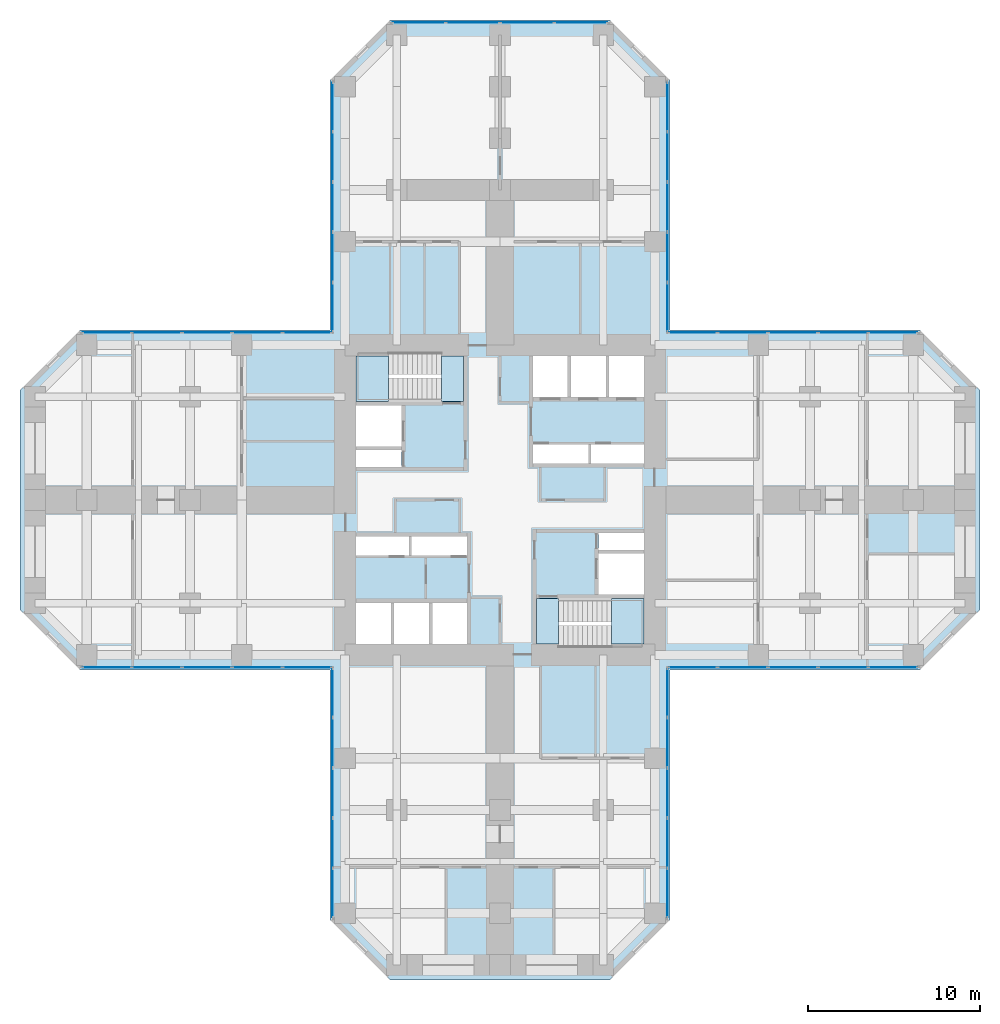
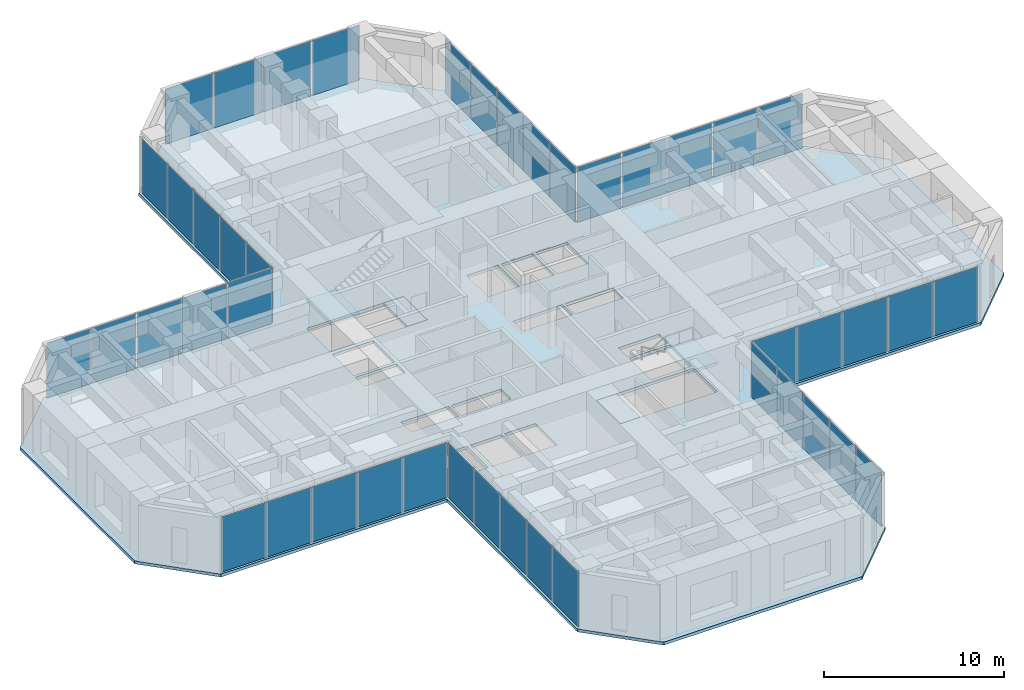
# One storey, part 7 of 13: 44 plates, 5 slabs, 11 elements without a shape of their own.
"""IFC4 building model written with IfcOpenShell, lengths in metres."""

import ifcopenshell
import ifcopenshell.guid

model = None  # the IFC model being written
_history = None  # IfcOwnerHistory: only IFC2X3 demands one
_inside = {}  # id of a spatial element -> (the spatial element, [elements in it])
_under = {}  # id of a project, library or spatial element -> (it, [spatial elements below it])
_declared = {}  # id of a project -> (the project, [libraries it declares])
_typed = {}  # id of a type object -> (the type object, [elements of that type])
_made_of = {}  # id of a material, layer set ... -> (it, [elements and type objects made of it])


def new_model(schema):
    """Start an empty IFC model of exactly this schema.

    Asked for "IFC4X3", IfcOpenShell would pick the latest addendum, in which some entities
    have other attributes; the version numbers below select the first issue.
    IFC2X3 requires an IfcOwnerHistory on every rooted entity: one is made here for all.
    """
    global model, _history
    if schema == "IFC4X3":
        model = ifcopenshell.file(schema_version=(4, 3, 0, 0))
    else:
        model = ifcopenshell.file(schema=schema)
    _inside.clear()
    _under.clear()
    _declared.clear()
    _typed.clear()
    _made_of.clear()
    _history = None
    if model.schema == "IFC2X3":
        org = make("IfcOrganization", Name="unknown")
        user = make(
            "IfcPersonAndOrganization",
            ThePerson=make("IfcPerson", FamilyName="unknown"),
            TheOrganization=org,
        )
        app = make(
            "IfcApplication",
            ApplicationDeveloper=org,
            Version="unknown",
            ApplicationFullName="unknown",
            ApplicationIdentifier="unknown",
        )
        _history = make(
            "IfcOwnerHistory",
            OwningUser=user,
            OwningApplication=app,
            ChangeAction="ADDED",
            CreationDate=0,
        )
    return model


def make(cls, **values):
    """One entity of the class cls with the attributes given. An attribute that is None is left unset."""
    return model.create_entity(
        cls, **{name: value for name, value in values.items() if value is not None}
    )


def rooted(cls, **values):
    """An entity with a GlobalId (a new one), such as an element, a storey or a relation."""
    return make(cls, GlobalId=ifcopenshell.guid.new(), OwnerHistory=_history, **values)


def si_unit(unit_type, name, prefix=None):
    """IfcSIUnit, for example si_unit("LENGTHUNIT", "METRE", prefix="MILLI")."""
    return make("IfcSIUnit", UnitType=unit_type, Prefix=prefix, Name=name)


def assignment(units):
    """IfcUnitAssignment: the units of a project."""
    return None if units is None else make("IfcUnitAssignment", Units=units)


def point(xyz):
    """IfcCartesianPoint."""
    return None if xyz is None else make("IfcCartesianPoint", Coordinates=xyz)


def direction(xyz):
    """IfcDirection."""
    return None if xyz is None else make("IfcDirection", DirectionRatios=xyz)


def frame(location, z_axis=None, x_axis=None):
    """IfcAxis2Placement3D, a coordinate frame: its origin and axes. An axis left out is left unset."""
    return make(
        "IfcAxis2Placement3D",
        Location=point(location),
        Axis=direction(z_axis),
        RefDirection=direction(x_axis),
    )


def frame_2d(location, x_axis=None):
    """IfcAxis2Placement2D, a coordinate frame in the plane: its origin and x axis."""
    return make(
        "IfcAxis2Placement2D", Location=point(location), RefDirection=direction(x_axis)
    )


def origin():
    """The frame at (0, 0, 0) with its axes left unset."""
    return frame((0.0, 0.0, 0.0))


def origin_2d():
    """The frame at (0, 0) in the plane with its x axis left unset."""
    return frame_2d((0.0, 0.0))


def place(relative_to, where):
    """IfcLocalPlacement: puts the frame where relative to a parent placement (None: the world)."""
    return make(
        "IfcLocalPlacement", PlacementRelTo=relative_to, RelativePlacement=where
    )


def context(
    kind, dimensions, precision=None, world=None, true_north=None, identifier=None
):
    """IfcGeometricRepresentationContext, for example the 3D "Model" context."""
    return make(
        "IfcGeometricRepresentationContext",
        ContextIdentifier=identifier,
        ContextType=kind,
        CoordinateSpaceDimension=dimensions,
        Precision=precision,
        WorldCoordinateSystem=world,
        TrueNorth=true_north,
    )


def subcontext(parent, identifier, kind, view, scale=None):
    """IfcGeometricRepresentationSubContext, for example "Body" below "Model"."""
    return make(
        "IfcGeometricRepresentationSubContext",
        ContextIdentifier=identifier,
        ContextType=kind,
        ParentContext=parent,
        TargetScale=scale,
        TargetView=view,
    )


def project(units=None, contexts=None):
    """IfcProject with its units and contexts."""
    return rooted(
        "IfcProject",
        Name="project",
        RepresentationContexts=contexts,
        UnitsInContext=assignment(units),
    )


def spatial(cls, under=None, at=None, **own):
    """A site, building, storey or space (cls), placed at a placement, below another one or the project."""
    s = rooted(cls, ObjectPlacement=at, **own)
    if under is not None:
        _under.setdefault(under.id(), (under, []))[1].append(s)
    return s


def polyline(points):
    """IfcPolyline through the points."""
    return make("IfcPolyline", Points=[point(p) for p in points])


def profile(cls, at=None, kind="AREA", **sizes):
    """A parametric profile (cls). Its sizes go by their IFC names, for example OverallWidth=200.0."""
    return make(cls, ProfileType=kind, Position=at, **sizes)


def rectangle(**sizes):
    """IfcRectangleProfileDef."""
    return profile("IfcRectangleProfileDef", **sizes)


def outline(outer, holes=None, kind="AREA"):
    """IfcArbitraryClosedProfileDef: a profile drawn as a closed curve; with holes, ...WithVoids."""
    if holes is None:
        return make("IfcArbitraryClosedProfileDef", ProfileType=kind, OuterCurve=outer)
    return make(
        "IfcArbitraryProfileDefWithVoids",
        ProfileType=kind,
        OuterCurve=outer,
        InnerCurves=holes,
    )


def extrude(swept, where, along, depth):
    """IfcExtrudedAreaSolid: the profile swept, set in the frame where, extruded along a direction by depth."""
    return make(
        "IfcExtrudedAreaSolid",
        SweptArea=swept,
        Position=where,
        ExtrudedDirection=direction(along),
        Depth=depth,
    )


def shape(context_of_items, identifier, shape_type, items):
    """IfcShapeRepresentation: the items that make up one representation, for example the "Body"."""
    return make(
        "IfcShapeRepresentation",
        ContextOfItems=context_of_items,
        RepresentationIdentifier=identifier,
        RepresentationType=shape_type,
        Items=items,
    )


def material(Name=None, Category=None):
    """IfcMaterial."""
    return make("IfcMaterial", Name=Name, Category=Category)


def layer(
    of_material, thickness, ventilated=None, Name=None, Category=None, Priority=None
):
    """IfcMaterialLayer: one layer of a wall or slab, of a material (None: an air gap)."""
    return make(
        "IfcMaterialLayer",
        Material=of_material,
        LayerThickness=thickness,
        IsVentilated=ventilated,
        Name=Name,
        Category=Category,
        Priority=Priority,
    )


def layer_set(layers, Name=None):
    """IfcMaterialLayerSet."""
    return make("IfcMaterialLayerSet", MaterialLayers=layers, LayerSetName=Name)


def made_of(thing, what):
    """Note that an element or type object is made of a material, layer set ...; save() writes the relation."""
    if what is not None:
        _made_of.setdefault(what.id(), (what, []))[1].append(thing)
    return thing


def type_object(cls, material=None, **own):
    """A type object (cls), such as IfcWallType, which elements share."""
    return made_of(rooted(cls, **own), material)


def element(
    cls,
    number,
    at=None,
    inside=None,
    cuts=None,
    type_object=None,
    material=None,
    context=None,
    identifier="Body",
    shape_type=None,
    held_by="IfcProductDefinitionShape",
    body=None,
    shapes=None,
    **own,
):
    """One element of the class cls, such as IfcWall. Its Tag is "e" and its number.

    at: its placement. inside: the storey or other place that contains it. cuts: it is an
    opening in that element (IfcRelVoidsElement). A single representation is given by context,
    identifier, shape_type and body (its items); several are given by shapes. held_by: the class
    of the entity that holds the representations. save() writes the other relations.
    """
    e = rooted(cls, Tag="e%d" % number, ObjectPlacement=at, **own)
    if body is not None:
        shapes = [shape(context, identifier, shape_type, body)]
    if shapes is not None:
        e.Representation = make(held_by, Representations=shapes)
    if inside is not None:
        _inside.setdefault(inside.id(), (inside, []))[1].append(e)
    if cuts is not None:
        rooted(
            "IfcRelVoidsElement", RelatingBuildingElement=cuts, RelatedOpeningElement=e
        )
    if type_object is not None:
        _typed.setdefault(type_object.id(), (type_object, []))[1].append(e)
    return made_of(e, material)


def aggregate(whole, parts):
    """IfcRelAggregates: a whole, such as a stair, and the parts it consists of."""
    return rooted("IfcRelAggregates", RelatingObject=whole, RelatedObjects=parts)


def save(model, path):
    """Write the relations noted so far, then the file.

    IfcRelAggregates (storeys below a building ...), IfcRelContainedInSpatialStructure (elements
    in a storey), IfcRelDefinesByType, IfcRelAssociatesMaterial and IfcRelDeclares: one each for
    every whole, place, type object, material and project.
    """
    for whole, parts in _under.values():
        aggregate(whole, parts)
    for where, things in _inside.values():
        rooted(
            "IfcRelContainedInSpatialStructure",
            RelatedElements=things,
            RelatingStructure=where,
        )
    for kind, things in _typed.values():
        rooted("IfcRelDefinesByType", RelatedObjects=things, RelatingType=kind)
    for what, things in _made_of.values():
        rooted("IfcRelAssociatesMaterial", RelatedObjects=things, RelatingMaterial=what)
    for by, libraries in _declared.values():
        rooted("IfcRelDeclares", RelatingContext=by, RelatedDefinitions=libraries)
    model.write(path)


model = new_model("IFC4")

# Units and contexts
model_context = context("Model", 3, precision=1e-05, world=origin(), true_north=direction((0.0, 1.0)))
body_context = subcontext(model_context, "Body", "Model", "MODEL_VIEW")
ifc_project = project(units=[si_unit("LENGTHUNIT", "METRE"), si_unit("AREAUNIT", "SQUARE_METRE"), si_unit("VOLUMEUNIT", "CUBIC_METRE"), si_unit("PLANEANGLEUNIT", "RADIAN"), si_unit("MASSUNIT", "GRAM", prefix="KILO")], contexts=[model_context])

# Site, building, storey
site_placement = place(None, origin())
site = spatial("IfcSite", under=ifc_project, at=site_placement, CompositionType="ELEMENT")
building_placement = place(site_placement, origin())
building = spatial("IfcBuilding", under=site, at=building_placement, Name="Torre Cruceta", CompositionType="ELEMENT")
storey_placement = place(building_placement, frame((0.0, 0.0, 27.5)))
storey = spatial("IfcBuildingStorey", under=building, at=storey_placement, Name="L06", CompositionType="ELEMENT", Elevation=27.5)

# Curtain wall, plate
ifc_material_1 = material(Name="Aluminium unitised curtain wall", Category="aluminium")
curtain_wall_type = type_object("IfcCurtainWallType", Name="CURTAIN WALL CW-A OFFICE LOW RISE", PredefinedType="USERDEFINED", material=ifc_material_1)
curtain_wall_1_placement = place(storey_placement, origin())
curtain_wall_1 = element("IfcCurtainWall", 1, at=curtain_wall_1_placement, inside=storey, type_object=curtain_wall_type, Name="CW-A L06 E side 00", ObjectType="UNITISED", PredefinedType="USERDEFINED")
ifc_material_2 = material(Name="Laminated insulating glass unit, diagonal frit 50 %", Category="glass")
ifc_material_3 = material(Name="Laminated insulating glass unit, diagonal frit 50 %", Category="glass")
ifc_layer_1 = layer(ifc_material_3, 0.033935546875)
ifc_layer_set_1 = layer_set([ifc_layer_1], Name="Laminated insulating glass unit, diagonal frit 50 %")
plate_type_1 = type_object("IfcPlateType", Name="CW-A OPERABLE VENT PANEL 34", PredefinedType="CURTAIN_PANEL", material=ifc_layer_set_1)
plate_1_placement = place(storey_placement, frame((17.009033203125, -9.719970703125, 0.010009765625), z_axis=(0.0, 0.0, 1.0), x_axis=(1.0, 0.0, 0.0)))
plate_1 = element("IfcPlate", 2, at=plate_1_placement, type_object=plate_type_1, material=ifc_material_2, Name="CW-A vent 3", PredefinedType="CURTAIN_PANEL", context=body_context, shape_type="SweptSolid", body=[
    extrude(rectangle(XDim=2.8505859375, YDim=0.033935546875, at=origin_2d()), origin(), (0.0, 0.0, 1.0), 3.72509765625),
])

curtain_wall_2_placement = place(storey_placement, origin())
curtain_wall_2 = element("IfcCurtainWall", 3, at=curtain_wall_2_placement, inside=storey, type_object=curtain_wall_type, Name="CW-A L06 E side 04", ObjectType="UNITISED", PredefinedType="USERDEFINED")
plate_2_placement = place(storey_placement, frame((17.009033203125, 9.719970703125, 0.010009765625), z_axis=(0.0, 0.0, 1.0), x_axis=(-1.0, 0.0, 0.0)))
plate_2 = element("IfcPlate", 4, at=plate_2_placement, type_object=plate_type_1, material=ifc_material_2, Name="CW-A vent 3", PredefinedType="CURTAIN_PANEL", context=body_context, shape_type="SweptSolid", body=[
    extrude(rectangle(XDim=2.8505859375, YDim=0.033935546875, at=origin_2d()), origin(), (0.0, 0.0, 1.0), 3.72509765625),
])

curtain_wall_3_placement = place(storey_placement, origin())
curtain_wall_3 = element("IfcCurtainWall", 5, at=curtain_wall_3_placement, inside=storey, type_object=curtain_wall_type, Name="CW-A L06 N side 05", ObjectType="UNITISED", PredefinedType="USERDEFINED")
plate_3_placement = place(storey_placement, frame((9.719970703125, 17.009033203125, 0.010009765625), z_axis=(0.0, 0.0, 1.0), x_axis=(0.0, 1.0, 0.0)))
plate_3 = element("IfcPlate", 6, at=plate_3_placement, type_object=plate_type_1, material=ifc_material_2, Name="CW-A vent 3", PredefinedType="CURTAIN_PANEL", context=body_context, shape_type="SweptSolid", body=[
    extrude(rectangle(XDim=2.8505859375, YDim=0.033935546875, at=origin_2d()), origin(), (0.0, 0.0, 1.0), 3.72509765625),
])

curtain_wall_4_placement = place(storey_placement, origin())
curtain_wall_4 = element("IfcCurtainWall", 7, at=curtain_wall_4_placement, inside=storey, type_object=curtain_wall_type, Name="CW-A L06 N tip 07", ObjectType="UNITISED", PredefinedType="USERDEFINED")
plate_4_placement = place(storey_placement, frame((-1.574462890625, 27.719970703125, 0.010009765625), z_axis=(0.0, 0.0, 1.0), x_axis=(-1.0, 0.0, 0.0)))
plate_4 = element("IfcPlate", 8, at=plate_4_placement, type_object=plate_type_1, material=ifc_material_2, Name="CW-A vent 3", PredefinedType="CURTAIN_PANEL", context=body_context, shape_type="SweptSolid", body=[
    extrude(rectangle(XDim=3.084228515625, YDim=0.033935546875, at=origin_2d()), origin(), (0.0, 0.0, 1.0), 3.72509765625),
])

curtain_wall_5_placement = place(storey_placement, origin())
curtain_wall_5 = element("IfcCurtainWall", 9, at=curtain_wall_5_placement, inside=storey, type_object=curtain_wall_type, Name="CW-A L06 N side 09", ObjectType="UNITISED", PredefinedType="USERDEFINED")
plate_5_placement = place(storey_placement, frame((-9.719970703125, 17.009033203125, 0.010009765625), z_axis=(0.0, 0.0, 1.0), x_axis=(0.0, -1.0, 0.0)))
plate_5 = element("IfcPlate", 10, at=plate_5_placement, type_object=plate_type_1, material=ifc_material_2, Name="CW-A vent 3", PredefinedType="CURTAIN_PANEL", context=body_context, shape_type="SweptSolid", body=[
    extrude(rectangle(XDim=2.8505859375, YDim=0.033935546875, at=origin_2d()), origin(), (0.0, 0.0, 1.0), 3.72509765625),
])

curtain_wall_6_placement = place(storey_placement, origin())
curtain_wall_6 = element("IfcCurtainWall", 11, at=curtain_wall_6_placement, inside=storey, type_object=curtain_wall_type, Name="CW-A L06 W side 10", ObjectType="UNITISED", PredefinedType="USERDEFINED")
plate_6_placement = place(storey_placement, frame((-17.009033203125, 9.719970703125, 0.010009765625), z_axis=(0.0, 0.0, 1.0), x_axis=(-1.0, 0.0, 0.0)))
plate_6 = element("IfcPlate", 12, at=plate_6_placement, type_object=plate_type_1, material=ifc_material_2, Name="CW-A vent 3", PredefinedType="CURTAIN_PANEL", context=body_context, shape_type="SweptSolid", body=[
    extrude(rectangle(XDim=2.8505859375, YDim=0.033935546875, at=origin_2d()), origin(), (0.0, 0.0, 1.0), 3.72509765625),
])

curtain_wall_7_placement = place(storey_placement, origin())
curtain_wall_7 = element("IfcCurtainWall", 13, at=curtain_wall_7_placement, inside=storey, type_object=curtain_wall_type, Name="CW-A L06 W side 14", ObjectType="UNITISED", PredefinedType="USERDEFINED")
plate_7_placement = place(storey_placement, frame((-17.009033203125, -9.719970703125, 0.010009765625), z_axis=(0.0, 0.0, 1.0), x_axis=(1.0, 0.0, 0.0)))
plate_7 = element("IfcPlate", 14, at=plate_7_placement, type_object=plate_type_1, material=ifc_material_2, Name="CW-A vent 3", PredefinedType="CURTAIN_PANEL", context=body_context, shape_type="SweptSolid", body=[
    extrude(rectangle(XDim=2.8505859375, YDim=0.033935546875, at=origin_2d()), origin(), (0.0, 0.0, 1.0), 3.72509765625),
])

curtain_wall_8_placement = place(storey_placement, origin())
curtain_wall_8 = element("IfcCurtainWall", 15, at=curtain_wall_8_placement, inside=storey, type_object=curtain_wall_type, Name="CW-A L06 S side 15", ObjectType="UNITISED", PredefinedType="USERDEFINED")
plate_8_placement = place(storey_placement, frame((-9.719970703125, -17.009033203125, 0.010009765625), z_axis=(0.0, 0.0, 1.0), x_axis=(0.0, -1.0, 0.0)))
plate_8 = element("IfcPlate", 16, at=plate_8_placement, type_object=plate_type_1, material=ifc_material_2, Name="CW-A vent 3", PredefinedType="CURTAIN_PANEL", context=body_context, shape_type="SweptSolid", body=[
    extrude(rectangle(XDim=2.8505859375, YDim=0.033935546875, at=origin_2d()), origin(), (0.0, 0.0, 1.0), 3.72509765625),
])

curtain_wall_9_placement = place(storey_placement, origin())
curtain_wall_9 = element("IfcCurtainWall", 17, at=curtain_wall_9_placement, inside=storey, type_object=curtain_wall_type, Name="CW-A L06 S side 19", ObjectType="UNITISED", PredefinedType="USERDEFINED")
plate_9_placement = place(storey_placement, frame((9.719970703125, -17.009033203125, 0.010009765625), z_axis=(0.0, 0.0, 1.0), x_axis=(0.0, 1.0, 0.0)))
plate_9 = element("IfcPlate", 18, at=plate_9_placement, type_object=plate_type_1, material=ifc_material_2, Name="CW-A vent 3", PredefinedType="CURTAIN_PANEL", context=body_context, shape_type="SweptSolid", body=[
    extrude(rectangle(XDim=2.8505859375, YDim=0.033935546875, at=origin_2d()), origin(), (0.0, 0.0, 1.0), 3.72509765625),
])

# Plate
ifc_material_4 = material(Name="Laminated insulating glass unit, low-iron clear", Category="glass")
ifc_material_5 = material(Name="Laminated insulating glass unit, diagonal frit 50 %", Category="glass")
ifc_layer_2 = layer(ifc_material_5, 0.033935546875)
ifc_layer_set_2 = layer_set([ifc_layer_2], Name="Laminated insulating glass unit, diagonal frit 50 %")
plate_type_2 = type_object("IfcPlateType", Name="CW-A PANEL 34", PredefinedType="CURTAIN_PANEL", material=ifc_layer_set_2)
plate_10_placement = place(storey_placement, frame((11.194091796875, -9.719970703125, 0.010009765625), z_axis=(0.0, 0.0, 1.0), x_axis=(1.0, 0.0, 0.0)))
plate_10 = element("IfcPlate", 19, at=plate_10_placement, type_object=plate_type_2, material=ifc_material_4, Name="CW-A panel 1", PredefinedType="CURTAIN_PANEL", context=body_context, shape_type="SweptSolid", body=[
    extrude(rectangle(XDim=2.818115234375, YDim=0.033935546875, at=origin_2d()), origin(), (0.0, 0.0, 1.0), 3.72509765625),
])

plate_11_placement = place(storey_placement, frame((14.093505859375, -9.719970703125, 0.010009765625), z_axis=(0.0, 0.0, 1.0), x_axis=(1.0, 0.0, 0.0)))
plate_11 = element("IfcPlate", 20, at=plate_11_placement, type_object=plate_type_2, material=ifc_material_4, Name="CW-A panel 2", PredefinedType="CURTAIN_PANEL", context=body_context, shape_type="SweptSolid", body=[
    extrude(rectangle(XDim=2.8505859375, YDim=0.033935546875, at=origin_2d()), origin(), (0.0, 0.0, 1.0), 3.72509765625),
])

plate_12_placement = place(storey_placement, frame((19.9248046875, -9.719970703125, 0.010009765625), z_axis=(0.0, 0.0, 1.0), x_axis=(1.0, 0.0, 0.0)))
plate_12 = element("IfcPlate", 21, at=plate_12_placement, type_object=plate_type_2, material=ifc_material_2, Name="CW-A panel 4", PredefinedType="CURTAIN_PANEL", context=body_context, shape_type="SweptSolid", body=[
    extrude(rectangle(XDim=2.8505859375, YDim=0.033935546875, at=origin_2d()), origin(), (0.0, 0.0, 1.0), 3.72509765625),
])

plate_13_placement = place(storey_placement, frame((22.82421875, -9.719970703125, 0.010009765625), z_axis=(0.0, 0.0, 1.0), x_axis=(1.0, 0.0, 0.0)))
plate_13 = element("IfcPlate", 22, at=plate_13_placement, type_object=plate_type_2, material=ifc_material_2, Name="CW-A panel 5", PredefinedType="CURTAIN_PANEL", context=body_context, shape_type="SweptSolid", body=[
    extrude(rectangle(XDim=2.818115234375, YDim=0.033935546875, at=origin_2d()), origin(), (0.0, 0.0, 1.0), 3.72509765625),
])

aggregate(curtain_wall_1, [plate_10, plate_11, plate_1, plate_12, plate_13])

plate_14_placement = place(storey_placement, frame((22.82421875, 9.719970703125, 0.010009765625), z_axis=(0.0, 0.0, 1.0), x_axis=(-1.0, 0.0, 0.0)))
plate_14 = element("IfcPlate", 23, at=plate_14_placement, type_object=plate_type_2, material=ifc_material_4, Name="CW-A panel 1", PredefinedType="CURTAIN_PANEL", context=body_context, shape_type="SweptSolid", body=[
    extrude(rectangle(XDim=2.818115234375, YDim=0.033935546875, at=origin_2d()), origin(), (0.0, 0.0, 1.0), 3.72509765625),
])

plate_15_placement = place(storey_placement, frame((19.9248046875, 9.719970703125, 0.010009765625), z_axis=(0.0, 0.0, 1.0), x_axis=(-1.0, 0.0, 0.0)))
plate_15 = element("IfcPlate", 24, at=plate_15_placement, type_object=plate_type_2, material=ifc_material_4, Name="CW-A panel 2", PredefinedType="CURTAIN_PANEL", context=body_context, shape_type="SweptSolid", body=[
    extrude(rectangle(XDim=2.8505859375, YDim=0.033935546875, at=origin_2d()), origin(), (0.0, 0.0, 1.0), 3.72509765625),
])

plate_16_placement = place(storey_placement, frame((14.093505859375, 9.719970703125, 0.010009765625), z_axis=(0.0, 0.0, 1.0), x_axis=(-1.0, 0.0, 0.0)))
plate_16 = element("IfcPlate", 25, at=plate_16_placement, type_object=plate_type_2, material=ifc_material_2, Name="CW-A panel 4", PredefinedType="CURTAIN_PANEL", context=body_context, shape_type="SweptSolid", body=[
    extrude(rectangle(XDim=2.8505859375, YDim=0.033935546875, at=origin_2d()), origin(), (0.0, 0.0, 1.0), 3.72509765625),
])

plate_17_placement = place(storey_placement, frame((11.194091796875, 9.719970703125, 0.010009765625), z_axis=(0.0, 0.0, 1.0), x_axis=(-1.0, 0.0, 0.0)))
plate_17 = element("IfcPlate", 26, at=plate_17_placement, type_object=plate_type_2, material=ifc_material_2, Name="CW-A panel 5", PredefinedType="CURTAIN_PANEL", context=body_context, shape_type="SweptSolid", body=[
    extrude(rectangle(XDim=2.818115234375, YDim=0.033935546875, at=origin_2d()), origin(), (0.0, 0.0, 1.0), 3.72509765625),
])

aggregate(curtain_wall_2, [plate_14, plate_15, plate_2, plate_16, plate_17])

plate_18_placement = place(storey_placement, frame((9.719970703125, 11.194091796875, 0.010009765625), z_axis=(0.0, 0.0, 1.0), x_axis=(0.0, 1.0, 0.0)))
plate_18 = element("IfcPlate", 27, at=plate_18_placement, type_object=plate_type_2, material=ifc_material_4, Name="CW-A panel 1", PredefinedType="CURTAIN_PANEL", context=body_context, shape_type="SweptSolid", body=[
    extrude(rectangle(XDim=2.818115234375, YDim=0.033935546875, at=origin_2d()), origin(), (0.0, 0.0, 1.0), 3.72509765625),
])

plate_19_placement = place(storey_placement, frame((9.719970703125, 14.093505859375, 0.010009765625), z_axis=(0.0, 0.0, 1.0), x_axis=(0.0, 1.0, 0.0)))
plate_19 = element("IfcPlate", 28, at=plate_19_placement, type_object=plate_type_2, material=ifc_material_4, Name="CW-A panel 2", PredefinedType="CURTAIN_PANEL", context=body_context, shape_type="SweptSolid", body=[
    extrude(rectangle(XDim=2.8505859375, YDim=0.033935546875, at=origin_2d()), origin(), (0.0, 0.0, 1.0), 3.72509765625),
])

plate_20_placement = place(storey_placement, frame((9.719970703125, 19.9248046875, 0.010009765625), z_axis=(0.0, 0.0, 1.0), x_axis=(0.0, 1.0, 0.0)))
plate_20 = element("IfcPlate", 29, at=plate_20_placement, type_object=plate_type_2, material=ifc_material_2, Name="CW-A panel 4", PredefinedType="CURTAIN_PANEL", context=body_context, shape_type="SweptSolid", body=[
    extrude(rectangle(XDim=2.8505859375, YDim=0.033935546875, at=origin_2d()), origin(), (0.0, 0.0, 1.0), 3.72509765625),
])

plate_21_placement = place(storey_placement, frame((9.719970703125, 22.82421875, 0.010009765625), z_axis=(0.0, 0.0, 1.0), x_axis=(0.0, 1.0, 0.0)))
plate_21 = element("IfcPlate", 30, at=plate_21_placement, type_object=plate_type_2, material=ifc_material_2, Name="CW-A panel 5", PredefinedType="CURTAIN_PANEL", context=body_context, shape_type="SweptSolid", body=[
    extrude(rectangle(XDim=2.818115234375, YDim=0.033935546875, at=origin_2d()), origin(), (0.0, 0.0, 1.0), 3.72509765625),
])

aggregate(curtain_wall_3, [plate_18, plate_19, plate_3, plate_20, plate_21])

plate_22_placement = place(storey_placement, frame((4.70751953125, 27.719970703125, 0.010009765625), z_axis=(0.0, 0.0, 1.0), x_axis=(-1.0, 0.0, 0.0)))
plate_22 = element("IfcPlate", 31, at=plate_22_placement, type_object=plate_type_2, material=ifc_material_4, Name="CW-A panel 1", PredefinedType="CURTAIN_PANEL", context=body_context, shape_type="SweptSolid", body=[
    extrude(rectangle(XDim=3.051513671875, YDim=0.033935546875, at=origin_2d()), origin(), (0.0, 0.0, 1.0), 3.72509765625),
])

plate_23_placement = place(storey_placement, frame((1.574462890625, 27.719970703125, 0.010009765625), z_axis=(0.0, 0.0, 1.0), x_axis=(-1.0, 0.0, 0.0)))
plate_23 = element("IfcPlate", 32, at=plate_23_placement, type_object=plate_type_2, material=ifc_material_4, Name="CW-A panel 2", PredefinedType="CURTAIN_PANEL", context=body_context, shape_type="SweptSolid", body=[
    extrude(rectangle(XDim=3.084228515625, YDim=0.033935546875, at=origin_2d()), origin(), (0.0, 0.0, 1.0), 3.72509765625),
])

plate_24_placement = place(storey_placement, frame((-4.70751953125, 27.719970703125, 0.010009765625), z_axis=(0.0, 0.0, 1.0), x_axis=(-1.0, 0.0, 0.0)))
plate_24 = element("IfcPlate", 33, at=plate_24_placement, type_object=plate_type_2, material=ifc_material_2, Name="CW-A panel 4", PredefinedType="CURTAIN_PANEL", context=body_context, shape_type="SweptSolid", body=[
    extrude(rectangle(XDim=3.051513671875, YDim=0.033935546875, at=origin_2d()), origin(), (0.0, 0.0, 1.0), 3.72509765625),
])

aggregate(curtain_wall_4, [plate_22, plate_23, plate_4, plate_24])

plate_25_placement = place(storey_placement, frame((-9.719970703125, 22.82421875, 0.010009765625), z_axis=(0.0, 0.0, 1.0), x_axis=(0.0, -1.0, 0.0)))
plate_25 = element("IfcPlate", 34, at=plate_25_placement, type_object=plate_type_2, material=ifc_material_4, Name="CW-A panel 1", PredefinedType="CURTAIN_PANEL", context=body_context, shape_type="SweptSolid", body=[
    extrude(rectangle(XDim=2.818115234375, YDim=0.033935546875, at=origin_2d()), origin(), (0.0, 0.0, 1.0), 3.72509765625),
])

plate_26_placement = place(storey_placement, frame((-9.719970703125, 19.9248046875, 0.010009765625), z_axis=(0.0, 0.0, 1.0), x_axis=(0.0, -1.0, 0.0)))
plate_26 = element("IfcPlate", 35, at=plate_26_placement, type_object=plate_type_2, material=ifc_material_4, Name="CW-A panel 2", PredefinedType="CURTAIN_PANEL", context=body_context, shape_type="SweptSolid", body=[
    extrude(rectangle(XDim=2.8505859375, YDim=0.033935546875, at=origin_2d()), origin(), (0.0, 0.0, 1.0), 3.72509765625),
])

plate_27_placement = place(storey_placement, frame((-9.719970703125, 14.093505859375, 0.010009765625), z_axis=(0.0, 0.0, 1.0), x_axis=(0.0, -1.0, 0.0)))
plate_27 = element("IfcPlate", 36, at=plate_27_placement, type_object=plate_type_2, material=ifc_material_2, Name="CW-A panel 4", PredefinedType="CURTAIN_PANEL", context=body_context, shape_type="SweptSolid", body=[
    extrude(rectangle(XDim=2.8505859375, YDim=0.033935546875, at=origin_2d()), origin(), (0.0, 0.0, 1.0), 3.72509765625),
])

plate_28_placement = place(storey_placement, frame((-9.719970703125, 11.194091796875, 0.010009765625), z_axis=(0.0, 0.0, 1.0), x_axis=(0.0, -1.0, 0.0)))
plate_28 = element("IfcPlate", 37, at=plate_28_placement, type_object=plate_type_2, material=ifc_material_2, Name="CW-A panel 5", PredefinedType="CURTAIN_PANEL", context=body_context, shape_type="SweptSolid", body=[
    extrude(rectangle(XDim=2.818115234375, YDim=0.033935546875, at=origin_2d()), origin(), (0.0, 0.0, 1.0), 3.72509765625),
])

aggregate(curtain_wall_5, [plate_25, plate_26, plate_5, plate_27, plate_28])

plate_29_placement = place(storey_placement, frame((-11.194091796875, 9.719970703125, 0.010009765625), z_axis=(0.0, 0.0, 1.0), x_axis=(-1.0, 0.0, 0.0)))
plate_29 = element("IfcPlate", 38, at=plate_29_placement, type_object=plate_type_2, material=ifc_material_4, Name="CW-A panel 1", PredefinedType="CURTAIN_PANEL", context=body_context, shape_type="SweptSolid", body=[
    extrude(rectangle(XDim=2.818115234375, YDim=0.033935546875, at=origin_2d()), origin(), (0.0, 0.0, 1.0), 3.72509765625),
])

plate_30_placement = place(storey_placement, frame((-14.093505859375, 9.719970703125, 0.010009765625), z_axis=(0.0, 0.0, 1.0), x_axis=(-1.0, 0.0, 0.0)))
plate_30 = element("IfcPlate", 39, at=plate_30_placement, type_object=plate_type_2, material=ifc_material_4, Name="CW-A panel 2", PredefinedType="CURTAIN_PANEL", context=body_context, shape_type="SweptSolid", body=[
    extrude(rectangle(XDim=2.8505859375, YDim=0.033935546875, at=origin_2d()), origin(), (0.0, 0.0, 1.0), 3.72509765625),
])

plate_31_placement = place(storey_placement, frame((-19.9248046875, 9.719970703125, 0.010009765625), z_axis=(0.0, 0.0, 1.0), x_axis=(-1.0, 0.0, 0.0)))
plate_31 = element("IfcPlate", 40, at=plate_31_placement, type_object=plate_type_2, material=ifc_material_2, Name="CW-A panel 4", PredefinedType="CURTAIN_PANEL", context=body_context, shape_type="SweptSolid", body=[
    extrude(rectangle(XDim=2.8505859375, YDim=0.033935546875, at=origin_2d()), origin(), (0.0, 0.0, 1.0), 3.72509765625),
])

plate_32_placement = place(storey_placement, frame((-22.82421875, 9.719970703125, 0.010009765625), z_axis=(0.0, 0.0, 1.0), x_axis=(-1.0, 0.0, 0.0)))
plate_32 = element("IfcPlate", 41, at=plate_32_placement, type_object=plate_type_2, material=ifc_material_2, Name="CW-A panel 5", PredefinedType="CURTAIN_PANEL", context=body_context, shape_type="SweptSolid", body=[
    extrude(rectangle(XDim=2.818115234375, YDim=0.033935546875, at=origin_2d()), origin(), (0.0, 0.0, 1.0), 3.72509765625),
])

aggregate(curtain_wall_6, [plate_29, plate_30, plate_6, plate_31, plate_32])

plate_33_placement = place(storey_placement, frame((-22.82421875, -9.719970703125, 0.010009765625), z_axis=(0.0, 0.0, 1.0), x_axis=(1.0, 0.0, 0.0)))
plate_33 = element("IfcPlate", 42, at=plate_33_placement, type_object=plate_type_2, material=ifc_material_4, Name="CW-A panel 1", PredefinedType="CURTAIN_PANEL", context=body_context, shape_type="SweptSolid", body=[
    extrude(rectangle(XDim=2.818115234375, YDim=0.033935546875, at=origin_2d()), origin(), (0.0, 0.0, 1.0), 3.72509765625),
])

plate_34_placement = place(storey_placement, frame((-19.9248046875, -9.719970703125, 0.010009765625), z_axis=(0.0, 0.0, 1.0), x_axis=(1.0, 0.0, 0.0)))
plate_34 = element("IfcPlate", 43, at=plate_34_placement, type_object=plate_type_2, material=ifc_material_4, Name="CW-A panel 2", PredefinedType="CURTAIN_PANEL", context=body_context, shape_type="SweptSolid", body=[
    extrude(rectangle(XDim=2.8505859375, YDim=0.033935546875, at=origin_2d()), origin(), (0.0, 0.0, 1.0), 3.72509765625),
])

plate_35_placement = place(storey_placement, frame((-14.093505859375, -9.719970703125, 0.010009765625), z_axis=(0.0, 0.0, 1.0), x_axis=(1.0, 0.0, 0.0)))
plate_35 = element("IfcPlate", 44, at=plate_35_placement, type_object=plate_type_2, material=ifc_material_2, Name="CW-A panel 4", PredefinedType="CURTAIN_PANEL", context=body_context, shape_type="SweptSolid", body=[
    extrude(rectangle(XDim=2.8505859375, YDim=0.033935546875, at=origin_2d()), origin(), (0.0, 0.0, 1.0), 3.72509765625),
])

plate_36_placement = place(storey_placement, frame((-11.194091796875, -9.719970703125, 0.010009765625), z_axis=(0.0, 0.0, 1.0), x_axis=(1.0, 0.0, 0.0)))
plate_36 = element("IfcPlate", 45, at=plate_36_placement, type_object=plate_type_2, material=ifc_material_2, Name="CW-A panel 5", PredefinedType="CURTAIN_PANEL", context=body_context, shape_type="SweptSolid", body=[
    extrude(rectangle(XDim=2.818115234375, YDim=0.033935546875, at=origin_2d()), origin(), (0.0, 0.0, 1.0), 3.72509765625),
])

aggregate(curtain_wall_7, [plate_33, plate_34, plate_7, plate_35, plate_36])

plate_37_placement = place(storey_placement, frame((-9.719970703125, -11.194091796875, 0.010009765625), z_axis=(0.0, 0.0, 1.0), x_axis=(0.0, -1.0, 0.0)))
plate_37 = element("IfcPlate", 46, at=plate_37_placement, type_object=plate_type_2, material=ifc_material_4, Name="CW-A panel 1", PredefinedType="CURTAIN_PANEL", context=body_context, shape_type="SweptSolid", body=[
    extrude(rectangle(XDim=2.818115234375, YDim=0.033935546875, at=origin_2d()), origin(), (0.0, 0.0, 1.0), 3.72509765625),
])

plate_38_placement = place(storey_placement, frame((-9.719970703125, -14.093505859375, 0.010009765625), z_axis=(0.0, 0.0, 1.0), x_axis=(0.0, -1.0, 0.0)))
plate_38 = element("IfcPlate", 47, at=plate_38_placement, type_object=plate_type_2, material=ifc_material_4, Name="CW-A panel 2", PredefinedType="CURTAIN_PANEL", context=body_context, shape_type="SweptSolid", body=[
    extrude(rectangle(XDim=2.8505859375, YDim=0.033935546875, at=origin_2d()), origin(), (0.0, 0.0, 1.0), 3.72509765625),
])

plate_39_placement = place(storey_placement, frame((-9.719970703125, -19.9248046875, 0.010009765625), z_axis=(0.0, 0.0, 1.0), x_axis=(0.0, -1.0, 0.0)))
plate_39 = element("IfcPlate", 48, at=plate_39_placement, type_object=plate_type_2, material=ifc_material_2, Name="CW-A panel 4", PredefinedType="CURTAIN_PANEL", context=body_context, shape_type="SweptSolid", body=[
    extrude(rectangle(XDim=2.8505859375, YDim=0.033935546875, at=origin_2d()), origin(), (0.0, 0.0, 1.0), 3.72509765625),
])

plate_40_placement = place(storey_placement, frame((-9.719970703125, -22.82421875, 0.010009765625), z_axis=(0.0, 0.0, 1.0), x_axis=(0.0, -1.0, 0.0)))
plate_40 = element("IfcPlate", 49, at=plate_40_placement, type_object=plate_type_2, material=ifc_material_2, Name="CW-A panel 5", PredefinedType="CURTAIN_PANEL", context=body_context, shape_type="SweptSolid", body=[
    extrude(rectangle(XDim=2.818115234375, YDim=0.033935546875, at=origin_2d()), origin(), (0.0, 0.0, 1.0), 3.72509765625),
])

aggregate(curtain_wall_8, [plate_37, plate_38, plate_8, plate_39, plate_40])

plate_41_placement = place(storey_placement, frame((9.719970703125, -22.82421875, 0.010009765625), z_axis=(0.0, 0.0, 1.0), x_axis=(0.0, 1.0, 0.0)))
plate_41 = element("IfcPlate", 50, at=plate_41_placement, type_object=plate_type_2, material=ifc_material_4, Name="CW-A panel 1", PredefinedType="CURTAIN_PANEL", context=body_context, shape_type="SweptSolid", body=[
    extrude(rectangle(XDim=2.818115234375, YDim=0.033935546875, at=origin_2d()), origin(), (0.0, 0.0, 1.0), 3.72509765625),
])

plate_42_placement = place(storey_placement, frame((9.719970703125, -19.9248046875, 0.010009765625), z_axis=(0.0, 0.0, 1.0), x_axis=(0.0, 1.0, 0.0)))
plate_42 = element("IfcPlate", 51, at=plate_42_placement, type_object=plate_type_2, material=ifc_material_4, Name="CW-A panel 2", PredefinedType="CURTAIN_PANEL", context=body_context, shape_type="SweptSolid", body=[
    extrude(rectangle(XDim=2.8505859375, YDim=0.033935546875, at=origin_2d()), origin(), (0.0, 0.0, 1.0), 3.72509765625),
])

plate_43_placement = place(storey_placement, frame((9.719970703125, -14.093505859375, 0.010009765625), z_axis=(0.0, 0.0, 1.0), x_axis=(0.0, 1.0, 0.0)))
plate_43 = element("IfcPlate", 52, at=plate_43_placement, type_object=plate_type_2, material=ifc_material_2, Name="CW-A panel 4", PredefinedType="CURTAIN_PANEL", context=body_context, shape_type="SweptSolid", body=[
    extrude(rectangle(XDim=2.8505859375, YDim=0.033935546875, at=origin_2d()), origin(), (0.0, 0.0, 1.0), 3.72509765625),
])

plate_44_placement = place(storey_placement, frame((9.719970703125, -11.194091796875, 0.010009765625), z_axis=(0.0, 0.0, 1.0), x_axis=(0.0, 1.0, 0.0)))
plate_44 = element("IfcPlate", 53, at=plate_44_placement, type_object=plate_type_2, material=ifc_material_2, Name="CW-A panel 5", PredefinedType="CURTAIN_PANEL", context=body_context, shape_type="SweptSolid", body=[
    extrude(rectangle(XDim=2.818115234375, YDim=0.033935546875, at=origin_2d()), origin(), (0.0, 0.0, 1.0), 3.72509765625),
])

aggregate(curtain_wall_9, [plate_41, plate_42, plate_9, plate_43, plate_44])

# Slab
ifc_material_6 = material(Name="Concrete G35 (fck 35 MPa)", Category="concrete")
ifc_layer_3 = layer(ifc_material_6, 0.199951171875)
ifc_layer_set_3 = layer_set([ifc_layer_3], Name="Concrete G35 (fck 35 MPa)")
slab_type_1 = type_object("IfcSlabType", Name="FLOOR SLAB 200", PredefinedType="FLOOR", material=ifc_layer_set_3)
slab_1_placement = place(storey_placement, frame((0.0, 0.0, -0.199951171875)))
element("IfcSlab", 54, at=slab_1_placement, inside=storey, type_object=slab_type_1, Name="Floor Slab L06", PredefinedType="FLOOR", context=body_context, shape_type="SweptSolid", body=[
    extrude(outline(polyline([(9.8701171875, -9.8701171875), (9.8701171875, -24.3603515625), (6.3603515625, -27.8701171875), (-6.3603515625, -27.8701171875), (-9.8701171875, -24.3603515625), (-9.8701171875, -9.8701171875), (-24.3603515625, -9.8701171875), (-27.8701171875, -6.3603515625), (-27.8701171875, 6.3603515625), (-24.3603515625, 9.8701171875), (-9.8701171875, 9.8701171875), (-9.8701171875, 24.3603515625), (-6.3603515625, 27.8701171875), (6.3603515625, 27.8701171875), (9.8701171875, 24.3603515625), (9.8701171875, 9.8701171875), (24.3603515625, 9.8701171875), (27.8701171875, 6.3603515625), (27.8701171875, -6.3603515625), (24.3603515625, -9.8701171875), (9.8701171875, -9.8701171875)]), holes=[polyline([(1.925048828125, 5.97509765625), (3.933349609375, 5.97509765625), (3.933349609375, 8.35009765625), (1.925048828125, 8.35009765625), (1.925048828125, 5.97509765625)]), polyline([(4.13330078125, 5.97509765625), (6.1416015625, 5.97509765625), (6.1416015625, 8.35009765625), (4.13330078125, 8.35009765625), (4.13330078125, 5.97509765625)]), polyline([(6.341552734375, 5.97509765625), (8.35009765625, 5.97509765625), (8.35009765625, 8.35009765625), (6.341552734375, 8.35009765625), (6.341552734375, 5.97509765625)]), polyline([(1.925048828125, 2.125), (5.125, 2.125), (5.125, 3.22509765625), (1.925048828125, 3.22509765625), (1.925048828125, 2.125)]), polyline([(5.27490234375, 2.125), (8.35009765625, 2.125), (8.35009765625, 3.22509765625), (5.27490234375, 3.22509765625), (5.27490234375, 2.125)]), polyline([(-8.35009765625, 3.10009765625), (-5.72509765625, 3.10009765625), (-5.72509765625, 5.47509765625), (-8.35009765625, 5.47509765625), (-8.35009765625, 3.10009765625)]), polyline([(-8.35009765625, 1.925048828125), (-5.72509765625, 1.925048828125), (-5.72509765625, 2.89990234375), (-8.35009765625, 2.89990234375), (-8.35009765625, 1.925048828125)]), polyline([(-3.933349609375, -8.35009765625), (-1.925048828125, -8.35009765625), (-1.925048828125, -5.97509765625), (-3.933349609375, -5.97509765625), (-3.933349609375, -8.35009765625)]), polyline([(-6.1416015625, -8.35009765625), (-4.13330078125, -8.35009765625), (-4.13330078125, -5.97509765625), (-6.1416015625, -5.97509765625), (-6.1416015625, -8.35009765625)]), polyline([(-8.35009765625, -8.35009765625), (-6.341552734375, -8.35009765625), (-6.341552734375, -5.97509765625), (-8.35009765625, -5.97509765625), (-8.35009765625, -8.35009765625)]), polyline([(-5.125, -3.22509765625), (-1.925048828125, -3.22509765625), (-1.925048828125, -2.125), (-5.125, -2.125), (-5.125, -3.22509765625)]), polyline([(-8.35009765625, -3.22509765625), (-5.27490234375, -3.22509765625), (-5.27490234375, -2.125), (-8.35009765625, -2.125), (-8.35009765625, -3.22509765625)]), polyline([(5.72509765625, -5.47509765625), (8.35009765625, -5.47509765625), (8.35009765625, -3.10009765625), (5.72509765625, -3.10009765625), (5.72509765625, -5.47509765625)]), polyline([(5.72509765625, -2.89990234375), (8.35009765625, -2.89990234375), (8.35009765625, -1.925048828125), (5.72509765625, -1.925048828125), (5.72509765625, -2.89990234375)]), polyline([(-8.35009765625, 5.72509765625), (-8.35009765625, 8.35009765625), (-3.39990234375, 8.35009765625), (-2.125, 8.35009765625), (-2.125, 5.72509765625), (-3.39990234375, 5.72509765625), (-8.35009765625, 5.72509765625)]), polyline([(2.125, -5.72509765625), (3.39990234375, -5.72509765625), (8.35009765625, -5.72509765625), (8.35009765625, -8.35009765625), (3.39990234375, -8.35009765625), (2.125, -8.35009765625), (2.125, -5.72509765625)])]), origin(), (0.0, 0.0, 1.0), 0.199951171875),
])

# Stair, slab
ifc_material_7 = material(Name="Concrete G30 (fck 30 MPa)", Category="concrete")
stair_type = type_object("IfcStairType", Name="STAIR HALF-TURN 1300", PredefinedType="HALF_TURN_STAIR", material=ifc_material_7)
stair_1_placement = place(storey_placement, origin())
stair_1 = element("IfcStair", 55, at=stair_1_placement, inside=storey, type_object=stair_type, Name="Stair ST1 L06", PredefinedType="HALF_TURN_STAIR")
ifc_material_8 = material(Name="Concrete G30 (fck 30 MPa)", Category="concrete")
ifc_layer_4 = layer(ifc_material_8, 0.199951171875)
ifc_layer_set_4 = layer_set([ifc_layer_4], Name="Concrete G30 (fck 30 MPa)")
slab_type_2 = type_object("IfcSlabType", Name="STAIR LANDING 200", PredefinedType="LANDING", material=ifc_layer_set_4)
slab_2_placement = place(storey_placement, frame((0.0, 0.0, 1.800048828125)))
slab_2 = element("IfcSlab", 56, at=slab_2_placement, type_object=slab_type_2, Name="ST1 landing 1", PredefinedType="LANDING", context=body_context, shape_type="SweptSolid", body=[
    extrude(outline(polyline([(-8.35009765625, 5.72509765625), (-6.47998046875, 5.72509765625), (-6.47998046875, 8.35009765625), (-8.35009765625, 8.35009765625), (-8.35009765625, 5.72509765625)])), origin(), (0.0, 0.0, 1.0), 0.199951171875),
])
aggregate(stair_1, [slab_2])

stair_2_placement = place(storey_placement, origin())
stair_2 = element("IfcStair", 57, at=stair_2_placement, inside=storey, type_object=stair_type, Name="Stair ST2 L06", PredefinedType="HALF_TURN_STAIR")
slab_3_placement = place(storey_placement, frame((0.0, 0.0, 1.800048828125)))
slab_3 = element("IfcSlab", 58, at=slab_3_placement, type_object=slab_type_2, Name="ST2 landing 1", PredefinedType="LANDING", context=body_context, shape_type="SweptSolid", body=[
    extrude(outline(polyline([(6.47998046875, -8.35009765625), (8.35009765625, -8.35009765625), (8.35009765625, -5.72509765625), (6.47998046875, -5.72509765625), (6.47998046875, -8.35009765625)])), origin(), (0.0, 0.0, 1.0), 0.199951171875),
])
aggregate(stair_2, [slab_3])

# Slabs
slab_4_placement = place(storey_placement, frame((0.0, 0.0, -0.199951171875)))
element("IfcSlab", 59, at=slab_4_placement, inside=storey, type_object=slab_type_2, Name="Stair ST1 floor landing L06", PredefinedType="LANDING", context=body_context, shape_type="SweptSolid", body=[
    extrude(outline(polyline([(-2.125, 8.35009765625), (-2.125, 5.72509765625), (-3.39990234375, 5.72509765625), (-3.39990234375, 8.35009765625), (-2.125, 8.35009765625)])), origin(), (0.0, 0.0, 1.0), 0.199951171875),
])
slab_5_placement = place(storey_placement, frame((0.0, 0.0, -0.199951171875)))
element("IfcSlab", 60, at=slab_5_placement, inside=storey, type_object=slab_type_2, Name="Stair ST2 floor landing L06", PredefinedType="LANDING", context=body_context, shape_type="SweptSolid", body=[
    extrude(outline(polyline([(2.125, -8.35009765625), (2.125, -5.72509765625), (3.39990234375, -5.72509765625), (3.39990234375, -8.35009765625), (2.125, -8.35009765625)])), origin(), (0.0, 0.0, 1.0), 0.199951171875),
])

save(model, "model.ifc")
